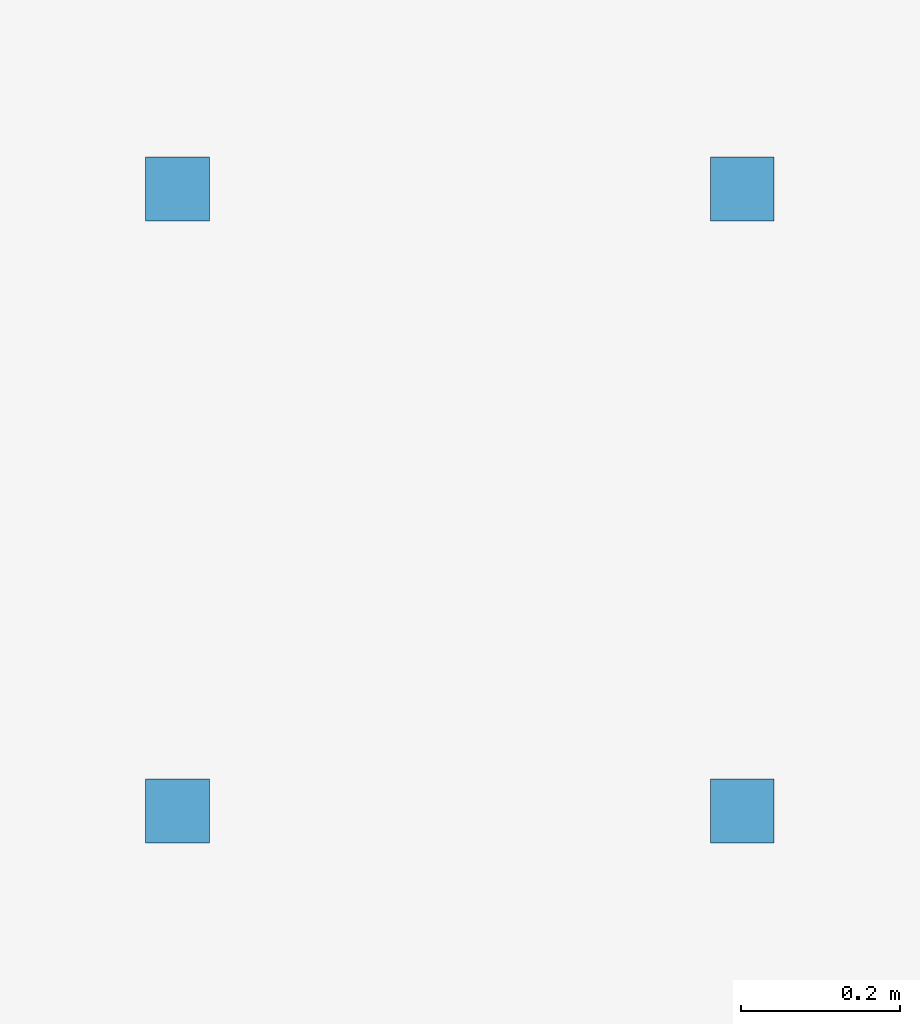
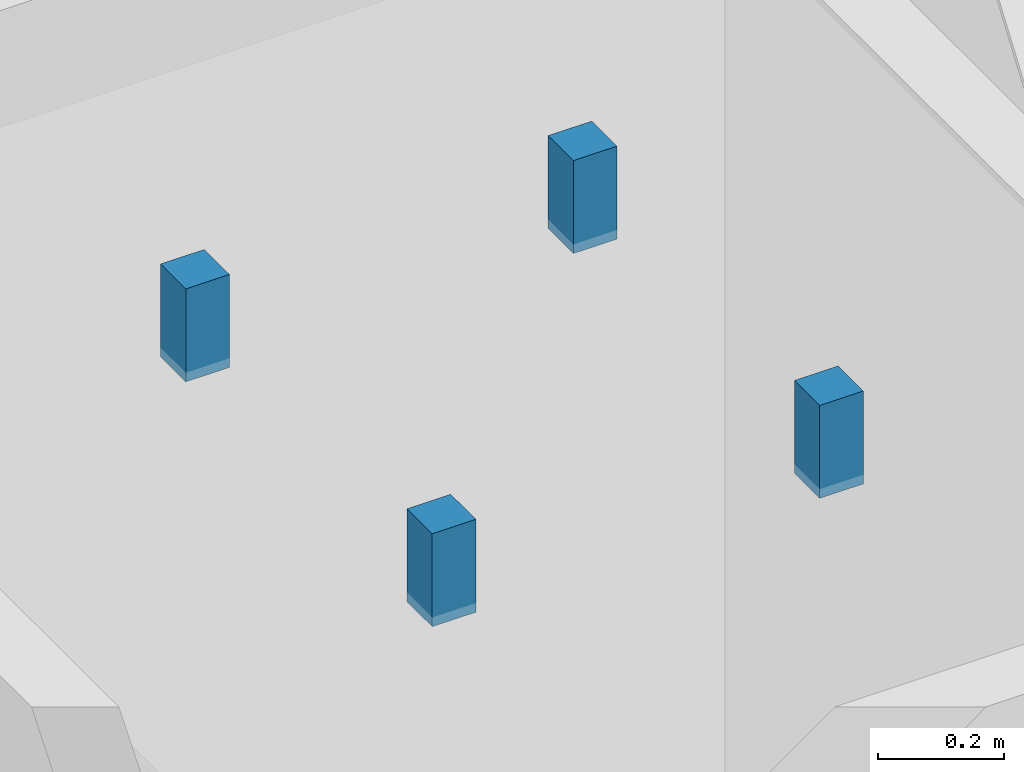
# One storey, part 13 of 15: 4 discrete accessories.
"""IFC4 building model written with IfcOpenShell, lengths in metres."""

from ifc_helpers import new_model, si_unit, direction, frame, origin, origin_2d, place, context, subcontext, project, spatial, rectangle, extrude, material, type_object, element, save


model = new_model("IFC4")

# Units and contexts
model_context = context("Model", 3, precision=1e-05, world=origin(), true_north=direction((0.0, 1.0)))
body_context = subcontext(model_context, "Body", "Model", "MODEL_VIEW")
ifc_project = project(units=[si_unit("LENGTHUNIT", "METRE"), si_unit("AREAUNIT", "SQUARE_METRE"), si_unit("VOLUMEUNIT", "CUBIC_METRE"), si_unit("PLANEANGLEUNIT", "RADIAN"), si_unit("MASSUNIT", "GRAM", prefix="KILO")], contexts=[model_context])

# Site, building, storey
site_placement = place(None, origin())
site = spatial("IfcSite", under=ifc_project, at=site_placement, CompositionType="ELEMENT")
building_placement = place(site_placement, origin())
building = spatial("IfcBuilding", under=site, at=building_placement, Name="Kolvaren Gate Tower and Convention Centre", CompositionType="ELEMENT")
storey_placement = place(building_placement, frame((0.0, 0.0, 265.699951171875)))
storey = spatial("IfcBuildingStorey", under=building, at=storey_placement, Name="L72", CompositionType="ELEMENT", Elevation=265.699951171875)

# Discrete accessories
ifc_material = material(Name="Brushed Stainless Steel Grade 316L", Category="steel")
discrete_accessory_type = type_object("IfcDiscreteAccessoryType", Name="ARCH-ACC-HANGER-80", PredefinedType="BRACKET", material=ifc_material)
for number, where, z_axis, x_axis, name in (
    (1, (33.02001953125, 39.833984375, 2.85009765625), (0.0, 0.0, 1.0), (1.0, 0.0, 0.0), "Apartment Fitted Kitchen (APT-L72-01) Ceiling Suspension Hanger Clip 1"),
    (2, (33.72998046875, 39.833984375, 2.85009765625), (0.0, 0.0, 1.0), (1.0, 0.0, 0.0), "Apartment Fitted Kitchen (APT-L72-01) Ceiling Suspension Hanger Clip 2"),
    (3, (33.02001953125, 40.615966796875, 2.85009765625), (0.0, 0.0, 1.0), (1.0, 0.0, 0.0), "Apartment Fitted Kitchen (APT-L72-01) Ceiling Suspension Hanger Clip 3"),
    (4, (33.72998046875, 40.615966796875, 2.85009765625), (0.0, 0.0, 1.0), (1.0, 0.0, 0.0), "Apartment Fitted Kitchen (APT-L72-01) Ceiling Suspension Hanger Clip 4"),
):
    element("IfcDiscreteAccessory", number, at=place(storey_placement, frame(where, z_axis=z_axis, x_axis=x_axis)), inside=storey, type_object=discrete_accessory_type, Name=name, PredefinedType="BRACKET", context=body_context, shape_type="SweptSolid", body=[
        extrude(rectangle(XDim=0.080078125, YDim=0.080078125, at=origin_2d()), origin(), (0.0, 0.0, 1.0), 0.179931640625),
    ])

save(model, "model.ifc")
